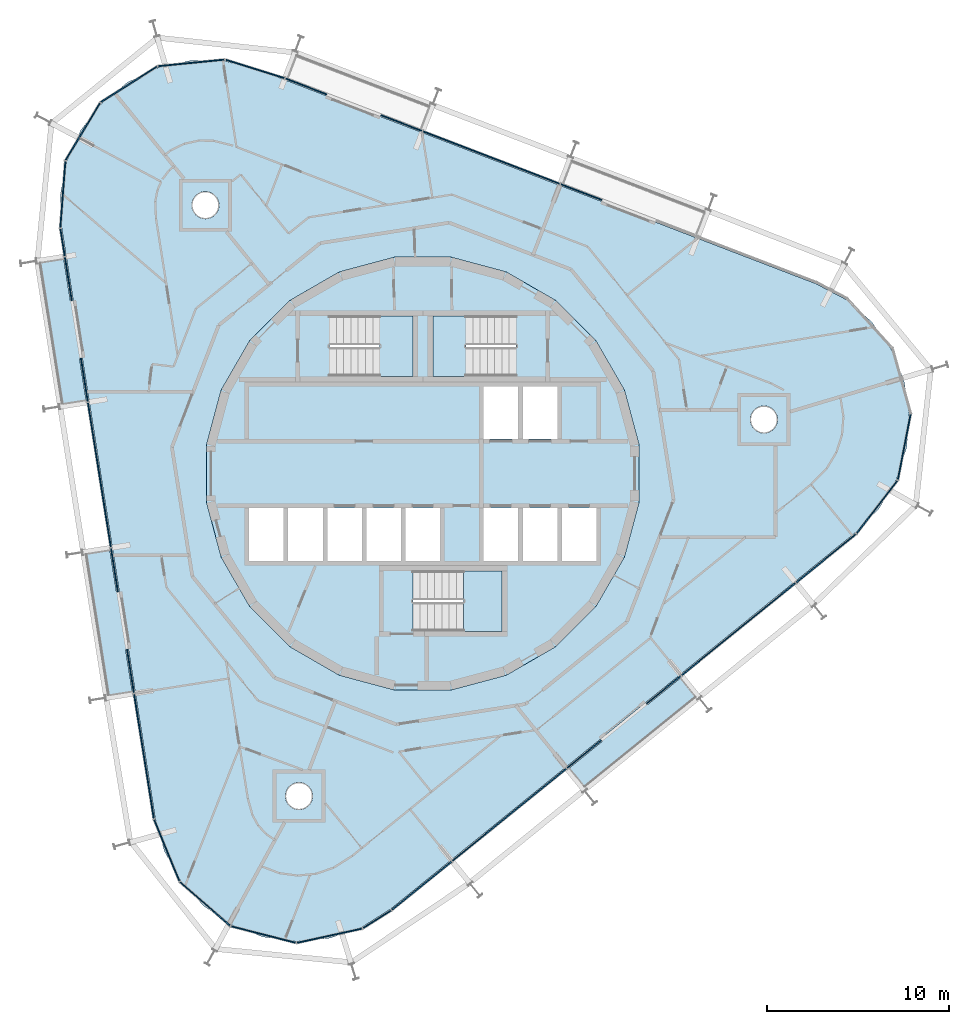
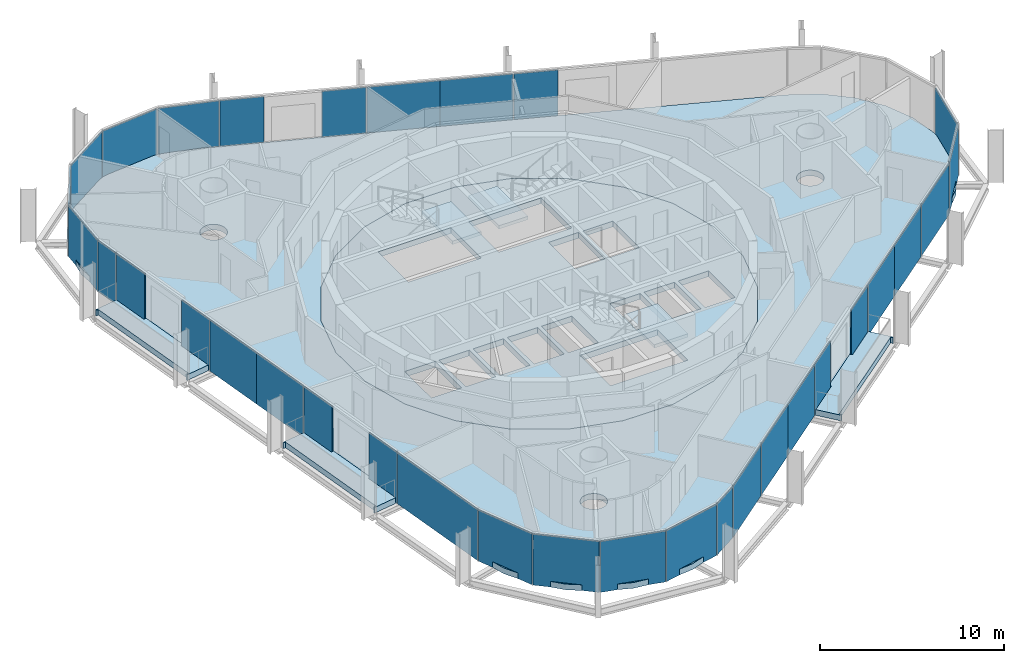
# One storey, part 10 of 17: 33 plates, 8 slabs, 9 elements without a shape of their own.
"""IFC4 building model written with IfcOpenShell, lengths in metres."""

from ifc_helpers import new_model, si_unit, direction, frame, origin, origin_2d, place, context, subcontext, project, spatial, polyline, rectangle, outline, extrude, material, layer, layer_set, type_object, element, aggregate, save


model = new_model("IFC4")

# Units and contexts
model_context = context("Model", 3, precision=1e-05, world=origin(), true_north=direction((0.0, 1.0)))
body_context = subcontext(model_context, "Body", "Model", "MODEL_VIEW")
ifc_project = project(units=[si_unit("LENGTHUNIT", "METRE"), si_unit("AREAUNIT", "SQUARE_METRE"), si_unit("VOLUMEUNIT", "CUBIC_METRE"), si_unit("PLANEANGLEUNIT", "RADIAN"), si_unit("MASSUNIT", "GRAM", prefix="KILO")], contexts=[model_context])

# Site, building, storey
site_placement = place(None, origin())
site = spatial("IfcSite", under=ifc_project, at=site_placement, CompositionType="ELEMENT")
building_placement = place(site_placement, origin())
building = spatial("IfcBuilding", under=site, at=building_placement, Name="Spindle Arch Residences", CompositionType="ELEMENT")
storey_placement = place(building_placement, frame((0.0, 0.0, 266.89990234375)))
storey = spatial("IfcBuildingStorey", under=building, at=storey_placement, Name="L68", CompositionType="ELEMENT", Elevation=266.89990234375)

# Slabs
ifc_material_1 = material(Name="Concrete C40/50", Category="concrete")
ifc_layer_1 = layer(ifc_material_1, 0.3798828125)
ifc_layer_set_1 = layer_set([ifc_layer_1], Name="Balcony slab 380")
slab_type_1 = type_object("IfcSlabType", Name="Balcony slab 380", PredefinedType="FLOOR", material=ifc_layer_set_1)
slab_1_placement = place(storey_placement, frame((0.0, 0.0, -0.3798828125)))
element("IfcSlab", 1, at=slab_1_placement, inside=storey, type_object=slab_type_1, Name="Balcony L68 bay 12", PredefinedType="FLOOR", context=body_context, shape_type="SweptSolid", body=[
    extrude(outline(polyline([(-21.224365234375, 11.611572265625), (-21.212646484375, 11.53759765625), (-21.064453125, 11.56103515625), (-19.843017578125, 3.849609375), (-19.9912109375, 3.826171875), (-19.9794921875, 3.751953125), (-18.5078125, 3.985107421875), (-18.8798828125, 6.334716796875), (-18.721923828125, 6.359619140625), (-19.22265625, 9.520263671875), (-19.380615234375, 9.4951171875), (-19.752685546875, 11.8447265625), (-21.224365234375, 11.611572265625)])), origin(), (0.0, 0.0, 1.0), 0.3798828125),
])
slab_2_placement = place(storey_placement, frame((0.0, 0.0, -0.3798828125)))
element("IfcSlab", 2, at=slab_2_placement, inside=storey, type_object=slab_type_1, Name="Balcony L68 bay 14", PredefinedType="FLOOR", context=body_context, shape_type="SweptSolid", body=[
    extrude(outline(polyline([(-18.687744140625, -4.40380859375), (-18.676025390625, -4.47802734375), (-18.52783203125, -4.45458984375), (-17.306396484375, -12.166015625), (-17.45458984375, -12.189453125), (-17.44287109375, -12.263427734375), (-15.97119140625, -12.030517578125), (-16.343505859375, -9.680908203125), (-16.185302734375, -9.656005859375), (-16.68603515625, -6.495361328125), (-16.843994140625, -6.520263671875), (-17.216064453125, -4.1708984375), (-18.687744140625, -4.40380859375)])), origin(), (0.0, 0.0, 1.0), 0.3798828125),
])
slab_3_placement = place(storey_placement, frame((0.0, 0.0, -0.3798828125)))
element("IfcSlab", 3, at=slab_3_placement, inside=storey, type_object=slab_type_1, Name="Balcony L68 bay 20", PredefinedType="FLOOR", context=body_context, shape_type="SweptSolid", body=[
    extrude(outline(polyline([(8.957275390625, -17.383544921875), (9.015625, -17.33642578125), (8.921142578125, -17.219970703125), (14.98876953125, -12.306396484375), (15.083251953125, -12.4228515625), (15.141357421875, -12.375732421875), (14.203857421875, -11.2177734375), (12.35498046875, -12.71484375), (12.25439453125, -12.590576171875), (9.767578125, -14.604248046875), (9.8681640625, -14.728759765625), (8.01953125, -16.2255859375), (8.957275390625, -17.383544921875)])), origin(), (0.0, 0.0, 1.0), 0.3798828125),
])
ifc_material_2 = material(Name="Concrete C50/60", Category="concrete")
ifc_layer_2 = layer(ifc_material_2, 0.3798828125)
ifc_layer_set_2 = layer_set([ifc_layer_2], Name="Core floor slab 380")
slab_type_2 = type_object("IfcSlabType", Name="Core floor slab 380", PredefinedType="FLOOR", material=ifc_layer_set_2)
slab_4_placement = place(storey_placement, frame((0.0, 0.0, -0.3798828125)))
element("IfcSlab", 4, at=slab_4_placement, inside=storey, type_object=slab_type_2, Name="Core floor L68", PredefinedType="FLOOR", context=body_context, shape_type="SweptSolid", body=[
    extrude(outline(polyline([(1.56640625, -11.897216796875), (4.59228515625, -11.086669921875), (7.30517578125, -9.520263671875), (9.520263671875, -7.30517578125), (11.086669921875, -4.59228515625), (11.897216796875, -1.56640625), (11.897216796875, 1.56640625), (11.086669921875, 4.59228515625), (9.520263671875, 7.30517578125), (7.30517578125, 9.520263671875), (4.59228515625, 11.086669921875), (1.56640625, 11.897216796875), (-1.56640625, 11.897216796875), (-4.59228515625, 11.086669921875), (-7.30517578125, 9.520263671875), (-9.520263671875, 7.30517578125), (-11.086669921875, 4.59228515625), (-11.897216796875, 1.56640625), (-11.897216796875, -1.56640625), (-11.086669921875, -4.59228515625), (-9.520263671875, -7.30517578125), (-7.30517578125, -9.520263671875), (-4.59228515625, -11.086669921875), (-1.56640625, -11.897216796875), (1.56640625, -11.897216796875)]), holes=[polyline([(3.35009765625, 1.89990234375), (5.25, 1.89990234375), (5.25, 4.800048828125), (3.35009765625, 4.800048828125), (3.35009765625, 1.89990234375)]), polyline([(5.5, 1.89990234375), (7.39990234375, 1.89990234375), (7.39990234375, 4.800048828125), (5.5, 4.800048828125), (5.5, 1.89990234375)]), polyline([(-9.550048828125, -4.800048828125), (-7.64990234375, -4.800048828125), (-7.64990234375, -1.89990234375), (-9.550048828125, -1.89990234375), (-9.550048828125, -4.800048828125)]), polyline([(-7.39990234375, -4.800048828125), (-5.5, -4.800048828125), (-5.5, -1.89990234375), (-7.39990234375, -1.89990234375), (-7.39990234375, -4.800048828125)]), polyline([(-5.25, -4.800048828125), (-3.35009765625, -4.800048828125), (-3.35009765625, -1.89990234375), (-5.25, -1.89990234375), (-5.25, -4.800048828125)]), polyline([(-3.10009765625, -4.800048828125), (-1.199951171875, -4.800048828125), (-1.199951171875, -1.89990234375), (-3.10009765625, -1.89990234375), (-3.10009765625, -4.800048828125)]), polyline([(-0.949951171875, -4.800048828125), (0.949951171875, -4.800048828125), (0.949951171875, -1.89990234375), (-0.949951171875, -1.89990234375), (-0.949951171875, -4.800048828125)]), polyline([(3.35009765625, -4.800048828125), (5.25, -4.800048828125), (5.25, -1.89990234375), (3.35009765625, -1.89990234375), (3.35009765625, -4.800048828125)]), polyline([(5.5, -4.800048828125), (7.39990234375, -4.800048828125), (7.39990234375, -1.89990234375), (5.5, -1.89990234375), (5.5, -4.800048828125)]), polyline([(7.64990234375, -4.800048828125), (9.550048828125, -4.800048828125), (9.550048828125, -1.89990234375), (7.64990234375, -1.89990234375), (7.64990234375, -4.800048828125)]), polyline([(5.1298828125, 8.669921875), (0.550048828125, 8.669921875), (0.550048828125, 5.35009765625), (5.1298828125, 5.35009765625), (5.1298828125, 8.669921875)]), polyline([(-5.1298828125, 5.35009765625), (-0.550048828125, 5.35009765625), (-0.550048828125, 8.669921875), (-5.1298828125, 8.669921875), (-5.1298828125, 5.35009765625)]), polyline([(-0.530029296875, -8.669921875), (4.35009765625, -8.669921875), (4.35009765625, -5.35009765625), (-0.530029296875, -5.35009765625), (-0.530029296875, -8.669921875)])]), origin(), (0.0, 0.0, 1.0), 0.3798828125),
])

# Stair, slab
ifc_material_3 = material(Name="Concrete C50/60", Category="concrete")
stair_type = type_object("IfcStairType", Name="Exit stair 16 risers", PredefinedType="HALF_TURN_STAIR", material=ifc_material_3)
stair_1_placement = place(storey_placement, origin())
stair_1 = element("IfcStair", 5, at=stair_1_placement, inside=storey, type_object=stair_type, Name="L68 Exit stair ST1", PredefinedType="HALF_TURN_STAIR")
ifc_material_4 = material(Name="Concrete C50/60", Category="concrete")
ifc_layer_3 = layer(ifc_material_4, 0.219970703125)
ifc_layer_set_3 = layer_set([ifc_layer_3], Name="Exit stair landing 220")
slab_type_3 = type_object("IfcSlabType", Name="Exit stair landing 220", PredefinedType="LANDING", material=ifc_layer_set_3)
slab_5_placement = place(storey_placement, frame((0.0, 0.0, 1.530029296875)))
slab_5 = element("IfcSlab", 6, at=slab_5_placement, type_object=slab_type_3, Name="ST1 landing 1", PredefinedType="LANDING", context=body_context, shape_type="SweptSolid", body=[
    extrude(outline(polyline([(2.3701171875, 8.669921875), (0.550048828125, 8.669921875), (0.550048828125, 5.35009765625), (2.3701171875, 5.35009765625), (2.3701171875, 8.669921875)])), origin(), (0.0, 0.0, 1.0), 0.219970703125),
])
aggregate(stair_1, [slab_5])

stair_2_placement = place(storey_placement, origin())
stair_2 = element("IfcStair", 7, at=stair_2_placement, inside=storey, type_object=stair_type, Name="L68 Exit stair ST2", PredefinedType="HALF_TURN_STAIR")
slab_6_placement = place(storey_placement, frame((0.0, 0.0, 1.530029296875)))
slab_6 = element("IfcSlab", 8, at=slab_6_placement, type_object=slab_type_3, Name="ST2 landing 1", PredefinedType="LANDING", context=body_context, shape_type="SweptSolid", body=[
    extrude(outline(polyline([(-2.3701171875, 5.35009765625), (-0.550048828125, 5.35009765625), (-0.550048828125, 8.669921875), (-2.3701171875, 8.669921875), (-2.3701171875, 5.35009765625)])), origin(), (0.0, 0.0, 1.0), 0.219970703125),
])
aggregate(stair_2, [slab_6])

stair_3_placement = place(storey_placement, origin())
stair_3 = element("IfcStair", 9, at=stair_3_placement, inside=storey, type_object=stair_type, Name="L68 Exit stair ST3", PredefinedType="HALF_TURN_STAIR")
slab_7_placement = place(storey_placement, frame((0.0, 0.0, 1.530029296875)))
slab_7 = element("IfcSlab", 10, at=slab_7_placement, type_object=slab_type_3, Name="ST3 landing 1", PredefinedType="LANDING", context=body_context, shape_type="SweptSolid", body=[
    extrude(outline(polyline([(2.22998046875, -8.669921875), (4.35009765625, -8.669921875), (4.35009765625, -5.35009765625), (2.22998046875, -5.35009765625), (2.22998046875, -8.669921875)])), origin(), (0.0, 0.0, 1.0), 0.219970703125),
])
aggregate(stair_3, [slab_7])

# Slab
ifc_material_5 = material(Name="Concrete C40/50", Category="concrete")
ifc_layer_4 = layer(ifc_material_5, 0.3798828125)
ifc_layer_set_4 = layer_set([ifc_layer_4], Name="Floor slab 380")
slab_type_4 = type_object("IfcSlabType", Name="Floor slab 380", PredefinedType="FLOOR", material=ifc_layer_set_4)
slab_8_placement = place(storey_placement, frame((0.0, 0.0, -0.3798828125)))
element("IfcSlab", 11, at=slab_8_placement, inside=storey, type_object=slab_type_4, Name="Floor slab L68", PredefinedType="FLOOR", context=body_context, shape_type="SweptSolid", body=[
    extrude(outline(polyline([(-3.341552734375, -24.9423828125), (-5.097900390625, -25.547119140625), (-6.9462890625, -25.73046875), (-8.787109375, -25.482666015625), (-10.521240234375, -24.81689453125), (-12.054931640625, -23.769287109375), (-13.305908203125, -22.396240234375), (-14.20654296875, -20.771484375), (-14.7080078125, -18.983154296875), (-19.854248046875, 13.509033203125), (-19.929931640625, 15.364990234375), (-19.575439453125, 17.188232421875), (-18.81005859375, 18.880859375), (-17.675048828125, 20.35107421875), (-16.231689453125, 21.52001953125), (-14.557373046875, 22.32470703125), (-12.74267578125, 22.721435546875), (-10.885498046875, 22.68896484375), (-9.0859375, 22.22900390625), (21.626220703125, 10.439697265625), (23.271484375, 9.577392578125), (24.67333984375, 8.358642578125), (25.75634765625, 6.849609375), (26.462158203125, 5.131591796875), (26.752685546875, 3.296875), (26.6123046875, 1.444580078125), (26.048583984375, -0.3251953125), (25.092041015625, -1.917236328125), (23.7939453125, -3.24609375), (11.010986328125, -13.597412109375), (-1.77197265625, -23.94873046875), (-3.341552734375, -24.9423828125)]), holes=[polyline([(7.30517578125, -9.520263671875), (9.520263671875, -7.30517578125), (11.086669921875, -4.59228515625), (11.897216796875, -1.56640625), (11.897216796875, 1.56640625), (11.086669921875, 4.59228515625), (9.520263671875, 7.30517578125), (7.30517578125, 9.520263671875), (4.59228515625, 11.086669921875), (1.56640625, 11.897216796875), (-1.56640625, 11.897216796875), (-4.59228515625, 11.086669921875), (-7.30517578125, 9.520263671875), (-9.520263671875, 7.30517578125), (-11.086669921875, 4.59228515625), (-11.897216796875, 1.56640625), (-11.897216796875, -1.56640625), (-11.086669921875, -4.59228515625), (-9.520263671875, -7.30517578125), (-7.30517578125, -9.520263671875), (-4.59228515625, -11.086669921875), (-1.56640625, -11.897216796875), (1.56640625, -11.897216796875), (4.59228515625, -11.086669921875), (7.30517578125, -9.520263671875)]), polyline([(-6.2763671875, -18.261962890625), (-6.18310546875, -18.1484375), (-6.11376953125, -18.018798828125), (-6.071044921875, -17.8779296875), (-6.056640625, -17.731689453125), (-6.071044921875, -17.58544921875), (-6.11376953125, -17.444580078125), (-6.18310546875, -17.31494140625), (-6.2763671875, -17.201416015625), (-6.389892578125, -17.108154296875), (-6.51953125, -17.038818359375), (-6.660400390625, -16.99609375), (-6.806640625, -16.981689453125), (-6.952880859375, -16.99609375), (-7.093505859375, -17.038818359375), (-7.223388671875, -17.108154296875), (-7.3369140625, -17.201416015625), (-7.43017578125, -17.31494140625), (-7.49951171875, -17.444580078125), (-7.542236328125, -17.58544921875), (-7.556640625, -17.731689453125), (-7.542236328125, -17.8779296875), (-7.49951171875, -18.018798828125), (-7.43017578125, -18.1484375), (-7.3369140625, -18.261962890625), (-7.223388671875, -18.355224609375), (-7.093505859375, -18.424560546875), (-6.952880859375, -18.46728515625), (-6.806640625, -18.481689453125), (-6.660400390625, -18.46728515625), (-6.51953125, -18.424560546875), (-6.389892578125, -18.355224609375), (-6.2763671875, -18.261962890625)]), polyline([(-11.3291015625, 14.34375), (-11.260009765625, 14.473388671875), (-11.21728515625, 14.6142578125), (-11.202880859375, 14.760498046875), (-11.21728515625, 14.90673828125), (-11.260009765625, 15.047607421875), (-11.3291015625, 15.17724609375), (-11.422607421875, 15.290771484375), (-11.5361328125, 15.384033203125), (-11.665771484375, 15.453369140625), (-11.806396484375, 15.49609375), (-11.952880859375, 15.510498046875), (-12.09912109375, 15.49609375), (-12.23974609375, 15.453369140625), (-12.369384765625, 15.384033203125), (-12.483154296875, 15.290771484375), (-12.576416015625, 15.17724609375), (-12.645751953125, 15.047607421875), (-12.6884765625, 14.90673828125), (-12.702880859375, 14.760498046875), (-12.6884765625, 14.6142578125), (-12.645751953125, 14.473388671875), (-12.576416015625, 14.34375), (-12.483154296875, 14.230224609375), (-12.369384765625, 14.136962890625), (-12.23974609375, 14.067626953125), (-12.09912109375, 14.02490234375), (-11.952880859375, 14.010498046875), (-11.806396484375, 14.02490234375), (-11.665771484375, 14.067626953125), (-11.5361328125, 14.136962890625), (-11.422607421875, 14.230224609375), (-11.3291015625, 14.34375)]), polyline([(19.383056640625, 2.554443359375), (19.452392578125, 2.68408203125), (19.4951171875, 2.824951171875), (19.509521484375, 2.97119140625), (19.4951171875, 3.117431640625), (19.452392578125, 3.25830078125), (19.383056640625, 3.387939453125), (19.289794921875, 3.50146484375), (19.176025390625, 3.5947265625), (19.04638671875, 3.6640625), (18.90576171875, 3.706787109375), (18.759521484375, 3.72119140625), (18.613037109375, 3.706787109375), (18.472412109375, 3.6640625), (18.3427734375, 3.5947265625), (18.22900390625, 3.50146484375), (18.1357421875, 3.387939453125), (18.06640625, 3.25830078125), (18.023681640625, 3.117431640625), (18.009521484375, 2.97119140625), (18.023681640625, 2.824951171875), (18.06640625, 2.68408203125), (18.1357421875, 2.554443359375), (18.22900390625, 2.44091796875), (18.3427734375, 2.34765625), (18.472412109375, 2.2783203125), (18.613037109375, 2.235595703125), (18.759521484375, 2.22119140625), (18.90576171875, 2.235595703125), (19.04638671875, 2.2783203125), (19.176025390625, 2.34765625), (19.289794921875, 2.44091796875), (19.383056640625, 2.554443359375)])]), origin(), (0.0, 0.0, 1.0), 0.3798828125),
])

# Curtain wall, plates
ifc_material_6 = material(Name="Aluminium bronze unitised frame with tinted glass", Category="aluminium")
ifc_layer_5 = layer(ifc_material_6, 0.159912109375)
ifc_layer_set_5 = layer_set([ifc_layer_5], Name="CW-D corner wall on the fillet arcs")
curtain_wall_type_1 = type_object("IfcCurtainWallType", Name="CW-D corner wall on the fillet arcs", PredefinedType="NOTDEFINED", material=ifc_layer_set_5)
curtain_wall_1_placement = place(storey_placement, origin())
curtain_wall_1 = element("IfcCurtainWall", 12, at=curtain_wall_1_placement, inside=storey, type_object=curtain_wall_type_1, Name="CW-D L68 run 1", PredefinedType="NOTDEFINED")
ifc_material_7 = material(Name="Tinted double glazing over non-combustible spandrel zone with 0.55 mm stainless steel cavity fire stop (K0)", Category="steel")
ifc_layer_6 = layer(ifc_material_7, 0.070068359375)
ifc_layer_set_6 = layer_set([ifc_layer_6], Name="Unitised glass panel with spandrel zone and stainless cavity fire stop")
plate_type = type_object("IfcPlateType", Name="Unitised glass panel with spandrel zone and stainless cavity fire stop", PredefinedType="CURTAIN_PANEL", material=ifc_layer_set_6)
plate_1_placement = place(storey_placement, frame((22.178466796875, -4.6572265625, -0.3798828125), z_axis=(0.0, 0.0, 1.0), x_axis=(0.777145961457, 0.62932039105, 0.0)))
plate_1 = element("IfcPlate", 13, at=plate_1_placement, type_object=plate_type, Name="CW-D unit 00", PredefinedType="CURTAIN_PANEL", context=body_context, shape_type="SweptSolid", body=[
    extrude(rectangle(XDim=4.227294921875, YDim=0.070068359375, at=origin_2d()), origin(), (0.0, 0.0, 1.0), 3.3798828125),
])
plate_2_placement = place(storey_placement, frame((24.98291015625, -1.833251953125, -0.3798828125), z_axis=(0.0, 0.0, 1.0), x_axis=(0.611066622764, 0.791579170105, 0.0)))
plate_2 = element("IfcPlate", 14, at=plate_2_placement, type_object=plate_type, Name="CW-D unit 01", PredefinedType="CURTAIN_PANEL", context=body_context, shape_type="SweptSolid", body=[
    extrude(rectangle(XDim=3.666748046875, YDim=0.070068359375, at=origin_2d()), origin(), (0.0, 0.0, 1.0), 3.3798828125),
])
plate_3_placement = place(storey_placement, frame((26.47705078125, 1.470947265625, -0.3798828125), z_axis=(0.0, 0.0, 1.0), x_axis=(0.190808994811, 0.981627183558, 0.0)))
plate_3 = element("IfcPlate", 15, at=plate_3_placement, type_object=plate_type, Name="CW-D unit 02", PredefinedType="CURTAIN_PANEL", context=body_context, shape_type="SweptSolid", body=[
    extrude(rectangle(XDim=3.666748046875, YDim=0.070068359375, at=origin_2d()), origin(), (0.0, 0.0, 1.0), 3.3798828125),
])
aggregate(curtain_wall_1, [plate_1, plate_2, plate_3])

ifc_material_8 = material(Name="Aluminium bronze unitised frame with tinted glass", Category="aluminium")
ifc_layer_7 = layer(ifc_material_8, 0.159912109375)
ifc_layer_set_7 = layer_set([ifc_layer_7], Name="CW-C typical residential unitised wall")
curtain_wall_type_2 = type_object("IfcCurtainWallType", Name="CW-C typical residential unitised wall", PredefinedType="NOTDEFINED", material=ifc_layer_set_7)
curtain_wall_2_placement = place(storey_placement, origin())
curtain_wall_2 = element("IfcCurtainWall", 16, at=curtain_wall_2_placement, inside=storey, type_object=curtain_wall_type_2, Name="CW-C L68 run 2", PredefinedType="NOTDEFINED")
plate_4_placement = place(storey_placement, frame((8.7197265625, 15.47998046875, -0.3798828125), z_axis=(0.0, 0.0, 1.0), x_axis=(-0.933580426497, 0.358367949545, 0.0)))
plate_4 = element("IfcPlate", 17, at=plate_4_placement, type_object=plate_type, Name="CW-C unit 05R", PredefinedType="CURTAIN_PANEL", context=body_context, shape_type="SweptSolid", body=[
    extrude(rectangle(XDim=2.423828125, YDim=0.070068359375, at=origin_2d()), origin(), (0.0, 0.0, 1.0), 3.3798828125),
])
plate_5_placement = place(storey_placement, frame((5.654052734375, 16.65673828125, -0.3798828125), z_axis=(0.0, 0.0, 1.0), x_axis=(-0.933580426497, 0.358367949545, 0.0)))
plate_5 = element("IfcPlate", 18, at=plate_5_placement, type_object=plate_type, Name="CW-C unit 06A", PredefinedType="CURTAIN_PANEL", context=body_context, shape_type="SweptSolid", body=[
    extrude(rectangle(XDim=4.023681640625, YDim=0.070068359375, at=origin_2d()), origin(), (0.0, 0.0, 1.0), 3.3798828125),
])
plate_6_placement = place(storey_placement, frame((1.897705078125, 18.0986328125, -0.3798828125), z_axis=(0.0, 0.0, 1.0), x_axis=(-0.933580426497, 0.358367949545, 0.0)))
plate_6 = element("IfcPlate", 19, at=plate_6_placement, type_object=plate_type, Name="CW-C unit 06B", PredefinedType="CURTAIN_PANEL", context=body_context, shape_type="SweptSolid", body=[
    extrude(rectangle(XDim=4.023681640625, YDim=0.070068359375, at=origin_2d()), origin(), (0.0, 0.0, 1.0), 3.3798828125),
])
plate_7_placement = place(storey_placement, frame((-1.16796875, 19.275390625, -0.3798828125), z_axis=(0.0, 0.0, 1.0), x_axis=(-0.933580426497, 0.358367949545, 0.0)))
plate_7 = element("IfcPlate", 20, at=plate_7_placement, type_object=plate_type, Name="CW-C unit 07L", PredefinedType="CURTAIN_PANEL", context=body_context, shape_type="SweptSolid", body=[
    extrude(rectangle(XDim=2.423828125, YDim=0.070068359375, at=origin_2d()), origin(), (0.0, 0.0, 1.0), 3.3798828125),
])
plate_8_placement = place(storey_placement, frame((-6.41845703125, 21.290771484375, -0.3798828125), z_axis=(0.0, 0.0, 1.0), x_axis=(-0.933580426497, 0.358367949545, 0.0)))
plate_8 = element("IfcPlate", 21, at=plate_8_placement, type_object=plate_type, Name="CW-C unit 07R", PredefinedType="CURTAIN_PANEL", context=body_context, shape_type="SweptSolid", body=[
    extrude(rectangle(XDim=2.423828125, YDim=0.070068359375, at=origin_2d()), origin(), (0.0, 0.0, 1.0), 3.3798828125),
])
aggregate(curtain_wall_2, [plate_4, plate_5, plate_6, plate_7, plate_8])

curtain_wall_3_placement = place(storey_placement, origin())
curtain_wall_3 = element("IfcCurtainWall", 22, at=curtain_wall_3_placement, inside=storey, type_object=curtain_wall_type_1, Name="CW-D L68 run 3", PredefinedType="NOTDEFINED")
plate_9_placement = place(storey_placement, frame((-9.226318359375, 22.252197265625, -0.3798828125), z_axis=(0.0, 0.0, 1.0), x_axis=(-0.954314920262, 0.298802665594, 0.0)))
plate_9 = element("IfcPlate", 23, at=plate_9_placement, type_object=plate_type, Name="CW-D unit 00", PredefinedType="CURTAIN_PANEL", context=body_context, shape_type="SweptSolid", body=[
    extrude(rectangle(XDim=3.39501953125, YDim=0.070068359375, at=origin_2d()), origin(), (0.0, 0.0, 1.0), 3.3798828125),
])
plate_10_placement = place(storey_placement, frame((-12.729248046875, 22.584228515625, -0.3798828125), z_axis=(0.0, 0.0, 1.0), x_axis=(-0.995113183485, -0.098740832762, 0.0)))
plate_10 = element("IfcPlate", 24, at=plate_10_placement, type_object=plate_type, Name="CW-D unit 01", PredefinedType="CURTAIN_PANEL", context=body_context, shape_type="SweptSolid", body=[
    extrude(rectangle(XDim=3.666748046875, YDim=0.070068359375, at=origin_2d()), origin(), (0.0, 0.0, 1.0), 3.3798828125),
])
plate_11_placement = place(storey_placement, frame((-16.157958984375, 21.403564453125, -0.3798828125), z_axis=(0.0, 0.0, 1.0), x_axis=(-0.844950814707, -0.534844015322, 0.0)))
plate_11 = element("IfcPlate", 25, at=plate_11_placement, type_object=plate_type, Name="CW-D unit 02", PredefinedType="CURTAIN_PANEL", context=body_context, shape_type="SweptSolid", body=[
    extrude(rectangle(XDim=3.666748046875, YDim=0.070068359375, at=origin_2d()), origin(), (0.0, 0.0, 1.0), 3.3798828125),
])
plate_12_placement = place(storey_placement, frame((-18.692138671875, 18.809814453125, -0.3798828125), z_axis=(0.0, 0.0, 1.0), x_axis=(-0.515038072875, -0.857167301925, 0.0)))
plate_12 = element("IfcPlate", 26, at=plate_12_placement, type_object=plate_type, Name="CW-D unit 03", PredefinedType="CURTAIN_PANEL", context=body_context, shape_type="SweptSolid", body=[
    extrude(rectangle(XDim=3.666748046875, YDim=0.070068359375, at=origin_2d()), origin(), (0.0, 0.0, 1.0), 3.3798828125),
])
plate_13_placement = place(storey_placement, frame((-19.79248046875, 15.3544921875, -0.3798828125), z_axis=(0.0, 0.0, 1.0), x_axis=(-0.07555884997, -0.997141344139, 0.0)))
plate_13 = element("IfcPlate", 27, at=plate_13_placement, type_object=plate_type, Name="CW-D unit 04", PredefinedType="CURTAIN_PANEL", context=body_context, shape_type="SweptSolid", body=[
    extrude(rectangle(XDim=3.666748046875, YDim=0.070068359375, at=origin_2d()), origin(), (0.0, 0.0, 1.0), 3.3798828125),
])
plate_14_placement = place(storey_placement, frame((-19.809326171875, 12.7138671875, -0.3798828125), z_axis=(0.0, 0.0, 1.0), x_axis=(0.15643446504, -0.987688340595, 0.0)))
plate_14 = element("IfcPlate", 28, at=plate_14_placement, type_object=plate_type, Name="CW-D unit 05", PredefinedType="CURTAIN_PANEL", context=body_context, shape_type="SweptSolid", body=[
    extrude(rectangle(XDim=1.524658203125, YDim=0.070068359375, at=origin_2d()), origin(), (0.0, 0.0, 1.0), 3.3798828125),
])
aggregate(curtain_wall_3, [plate_9, plate_10, plate_11, plate_12, plate_13, plate_14])

curtain_wall_4_placement = place(storey_placement, origin())
curtain_wall_4 = element("IfcCurtainWall", 29, at=curtain_wall_4_placement, inside=storey, type_object=curtain_wall_type_2, Name="CW-C L68 run 4", PredefinedType="NOTDEFINED")
plate_15_placement = place(storey_placement, frame((-19.4912109375, 10.704833984375, -0.3798828125), z_axis=(0.0, 0.0, 1.0), x_axis=(0.15643446504, -0.987688340595, 0.0)))
plate_15 = element("IfcPlate", 30, at=plate_15_placement, type_object=plate_type, Name="CW-C unit 11L", PredefinedType="CURTAIN_PANEL", context=body_context, shape_type="SweptSolid", body=[
    extrude(rectangle(XDim=2.423828125, YDim=0.070068359375, at=origin_2d()), origin(), (0.0, 0.0, 1.0), 3.3798828125),
])
plate_16_placement = place(storey_placement, frame((-18.611328125, 5.150146484375, -0.3798828125), z_axis=(0.0, 0.0, 1.0), x_axis=(0.15643446504, -0.987688340595, 0.0)))
plate_16 = element("IfcPlate", 31, at=plate_16_placement, type_object=plate_type, Name="CW-C unit 11R", PredefinedType="CURTAIN_PANEL", context=body_context, shape_type="SweptSolid", body=[
    extrude(rectangle(XDim=2.423828125, YDim=0.070068359375, at=origin_2d()), origin(), (0.0, 0.0, 1.0), 3.3798828125),
])
plate_17_placement = place(storey_placement, frame((-18.09765625, 1.90673828125, -0.3798828125), z_axis=(0.0, 0.0, 1.0), x_axis=(0.15643446504, -0.987688340595, 0.0)))
plate_17 = element("IfcPlate", 32, at=plate_17_placement, type_object=plate_type, Name="CW-C unit 12A", PredefinedType="CURTAIN_PANEL", context=body_context, shape_type="SweptSolid", body=[
    extrude(rectangle(XDim=4.023681640625, YDim=0.070068359375, at=origin_2d()), origin(), (0.0, 0.0, 1.0), 3.3798828125),
])
plate_18_placement = place(storey_placement, frame((-17.46826171875, -2.0673828125, -0.3798828125), z_axis=(0.0, 0.0, 1.0), x_axis=(0.15643446504, -0.987688340595, 0.0)))
plate_18 = element("IfcPlate", 33, at=plate_18_placement, type_object=plate_type, Name="CW-C unit 12B", PredefinedType="CURTAIN_PANEL", context=body_context, shape_type="SweptSolid", body=[
    extrude(rectangle(XDim=4.023681640625, YDim=0.070068359375, at=origin_2d()), origin(), (0.0, 0.0, 1.0), 3.3798828125),
])
plate_19_placement = place(storey_placement, frame((-16.95458984375, -5.310791015625, -0.3798828125), z_axis=(0.0, 0.0, 1.0), x_axis=(0.15643446504, -0.987688340595, 0.0)))
plate_19 = element("IfcPlate", 34, at=plate_19_placement, type_object=plate_type, Name="CW-C unit 13L", PredefinedType="CURTAIN_PANEL", context=body_context, shape_type="SweptSolid", body=[
    extrude(rectangle(XDim=2.423828125, YDim=0.070068359375, at=origin_2d()), origin(), (0.0, 0.0, 1.0), 3.3798828125),
])
plate_20_placement = place(storey_placement, frame((-16.07470703125, -10.865478515625, -0.3798828125), z_axis=(0.0, 0.0, 1.0), x_axis=(0.15643446504, -0.987688340595, 0.0)))
plate_20 = element("IfcPlate", 35, at=plate_20_placement, type_object=plate_type, Name="CW-C unit 13R", PredefinedType="CURTAIN_PANEL", context=body_context, shape_type="SweptSolid", body=[
    extrude(rectangle(XDim=2.423828125, YDim=0.070068359375, at=origin_2d()), origin(), (0.0, 0.0, 1.0), 3.3798828125),
])
aggregate(curtain_wall_4, [plate_15, plate_16, plate_17, plate_18, plate_19, plate_20])

curtain_wall_5_placement = place(storey_placement, origin())
curtain_wall_5 = element("IfcCurtainWall", 36, at=curtain_wall_5_placement, inside=storey, type_object=curtain_wall_type_1, Name="CW-D L68 run 5", PredefinedType="NOTDEFINED")
plate_21_placement = place(storey_placement, frame((-15.333740234375, -15.5439453125, -0.3798828125), z_axis=(0.0, 0.0, 1.0), x_axis=(0.15643446504, -0.987688340595, 0.0)))
plate_21 = element("IfcPlate", 37, at=plate_21_placement, type_object=plate_type, Name="CW-D unit 00", PredefinedType="CURTAIN_PANEL", context=body_context, shape_type="SweptSolid", body=[
    extrude(rectangle(XDim=6.9296875, YDim=0.070068359375, at=origin_2d()), origin(), (0.0, 0.0, 1.0), 3.3798828125),
])
plate_22_placement = place(storey_placement, frame((-14.0791015625, -20.71923828125, -0.3798828125), z_axis=(0.0, 0.0, 1.0), x_axis=(0.379994360085, -0.92498880334, 0.0)))
plate_22 = element("IfcPlate", 38, at=plate_22_placement, type_object=plate_type, Name="CW-D unit 01", PredefinedType="CURTAIN_PANEL", context=body_context, shape_type="SweptSolid", body=[
    extrude(rectangle(XDim=3.666748046875, YDim=0.070068359375, at=origin_2d()), origin(), (0.0, 0.0, 1.0), 3.3798828125),
])
plate_23_placement = place(storey_placement, frame((-11.964599609375, -23.665283203125, -0.3798828125), z_axis=(0.0, 0.0, 1.0), x_axis=(0.754709583074, -0.656059025711, 0.0)))
plate_23 = element("IfcPlate", 39, at=plate_23_placement, type_object=plate_type, Name="CW-D unit 02", PredefinedType="CURTAIN_PANEL", context=body_context, shape_type="SweptSolid", body=[
    extrude(rectangle(XDim=3.666748046875, YDim=0.070068359375, at=origin_2d()), origin(), (0.0, 0.0, 1.0), 3.3798828125),
])
plate_24_placement = place(storey_placement, frame((-8.7529296875, -25.34912109375, -0.3798828125), z_axis=(0.0, 0.0, 1.0), x_axis=(0.968871869392, -0.247562720743, 0.0)))
plate_24 = element("IfcPlate", 40, at=plate_24_placement, type_object=plate_type, Name="CW-D unit 03", PredefinedType="CURTAIN_PANEL", context=body_context, shape_type="SweptSolid", body=[
    extrude(rectangle(XDim=3.666748046875, YDim=0.070068359375, at=origin_2d()), origin(), (0.0, 0.0, 1.0), 3.3798828125),
])
plate_25_placement = place(storey_placement, frame((-5.127197265625, -25.412353515625, -0.3798828125), z_axis=(0.0, 0.0, 1.0), x_axis=(0.976921473489, 0.213598770213, 0.0)))
plate_25 = element("IfcPlate", 41, at=plate_25_placement, type_object=plate_type, Name="CW-D unit 04", PredefinedType="CURTAIN_PANEL", context=body_context, shape_type="SweptSolid", body=[
    extrude(rectangle(XDim=3.666748046875, YDim=0.070068359375, at=origin_2d()), origin(), (0.0, 0.0, 1.0), 3.3798828125),
])
plate_26_placement = place(storey_placement, frame((-2.51416015625, -24.5126953125, -0.3798828125), z_axis=(0.0, 0.0, 1.0), x_axis=(0.844950816658, 0.53484401224, 0.0)))
plate_26 = element("IfcPlate", 42, at=plate_26_placement, type_object=plate_type, Name="CW-D unit 05", PredefinedType="CURTAIN_PANEL", context=body_context, shape_type="SweptSolid", body=[
    extrude(rectangle(XDim=1.816162109375, YDim=0.070068359375, at=origin_2d()), origin(), (0.0, 0.0, 1.0), 3.3798828125),
])
plate_27_placement = place(storey_placement, frame((-0.0556640625, -22.662109375, -0.3798828125), z_axis=(0.0, 0.0, 1.0), x_axis=(0.777145961457, 0.62932039105, 0.0)))
plate_27 = element("IfcPlate", 43, at=plate_27_placement, type_object=plate_type, Name="CW-D unit 06", PredefinedType="CURTAIN_PANEL", context=body_context, shape_type="SweptSolid", body=[
    extrude(rectangle(XDim=4.227294921875, YDim=0.070068359375, at=origin_2d()), origin(), (0.0, 0.0, 1.0), 3.3798828125),
])
aggregate(curtain_wall_5, [plate_21, plate_22, plate_23, plate_24, plate_25, plate_26, plate_27])

curtain_wall_6_placement = place(storey_placement, origin())
curtain_wall_6 = element("IfcCurtainWall", 44, at=curtain_wall_6_placement, inside=storey, type_object=curtain_wall_type_2, Name="CW-C L68 run 6", PredefinedType="NOTDEFINED")
plate_28_placement = place(storey_placement, frame((3.197021484375, -20.028076171875, -0.3798828125), z_axis=(0.0, 0.0, 1.0), x_axis=(0.777145961457, 0.62932039105, 0.0)))
plate_28 = element("IfcPlate", 45, at=plate_28_placement, type_object=plate_type, Name="CW-C unit 18A", PredefinedType="CURTAIN_PANEL", context=body_context, shape_type="SweptSolid", body=[
    extrude(rectangle(XDim=4.023681640625, YDim=0.070068359375, at=origin_2d()), origin(), (0.0, 0.0, 1.0), 3.3798828125),
])
plate_29_placement = place(storey_placement, frame((6.323974609375, -17.49560546875, -0.3798828125), z_axis=(0.0, 0.0, 1.0), x_axis=(0.777145961457, 0.62932039105, 0.0)))
plate_29 = element("IfcPlate", 46, at=plate_29_placement, type_object=plate_type, Name="CW-C unit 18B", PredefinedType="CURTAIN_PANEL", context=body_context, shape_type="SweptSolid", body=[
    extrude(rectangle(XDim=4.023681640625, YDim=0.070068359375, at=origin_2d()), origin(), (0.0, 0.0, 1.0), 3.3798828125),
])
plate_30_placement = place(storey_placement, frame((8.8759765625, -15.42919921875, -0.3798828125), z_axis=(0.0, 0.0, 1.0), x_axis=(0.777145961457, 0.62932039105, 0.0)))
plate_30 = element("IfcPlate", 47, at=plate_30_placement, type_object=plate_type, Name="CW-C unit 19L", PredefinedType="CURTAIN_PANEL", context=body_context, shape_type="SweptSolid", body=[
    extrude(rectangle(XDim=2.423828125, YDim=0.070068359375, at=origin_2d()), origin(), (0.0, 0.0, 1.0), 3.3798828125),
])
plate_31_placement = place(storey_placement, frame((13.24658203125, -11.889892578125, -0.3798828125), z_axis=(0.0, 0.0, 1.0), x_axis=(0.777145961457, 0.62932039105, 0.0)))
plate_31 = element("IfcPlate", 48, at=plate_31_placement, type_object=plate_type, Name="CW-C unit 19R", PredefinedType="CURTAIN_PANEL", context=body_context, shape_type="SweptSolid", body=[
    extrude(rectangle(XDim=2.423828125, YDim=0.070068359375, at=origin_2d()), origin(), (0.0, 0.0, 1.0), 3.3798828125),
])
plate_32_placement = place(storey_placement, frame((15.798583984375, -9.823486328125, -0.3798828125), z_axis=(0.0, 0.0, 1.0), x_axis=(0.777145961457, 0.62932039105, 0.0)))
plate_32 = element("IfcPlate", 49, at=plate_32_placement, type_object=plate_type, Name="CW-C unit 00A", PredefinedType="CURTAIN_PANEL", context=body_context, shape_type="SweptSolid", body=[
    extrude(rectangle(XDim=4.023681640625, YDim=0.070068359375, at=origin_2d()), origin(), (0.0, 0.0, 1.0), 3.3798828125),
])
plate_33_placement = place(storey_placement, frame((18.925537109375, -7.291259765625, -0.3798828125), z_axis=(0.0, 0.0, 1.0), x_axis=(0.777145961457, 0.62932039105, 0.0)))
plate_33 = element("IfcPlate", 50, at=plate_33_placement, type_object=plate_type, Name="CW-C unit 00B", PredefinedType="CURTAIN_PANEL", context=body_context, shape_type="SweptSolid", body=[
    extrude(rectangle(XDim=4.023681640625, YDim=0.070068359375, at=origin_2d()), origin(), (0.0, 0.0, 1.0), 3.3798828125),
])
aggregate(curtain_wall_6, [plate_28, plate_29, plate_30, plate_31, plate_32, plate_33])

save(model, "model.ifc")
